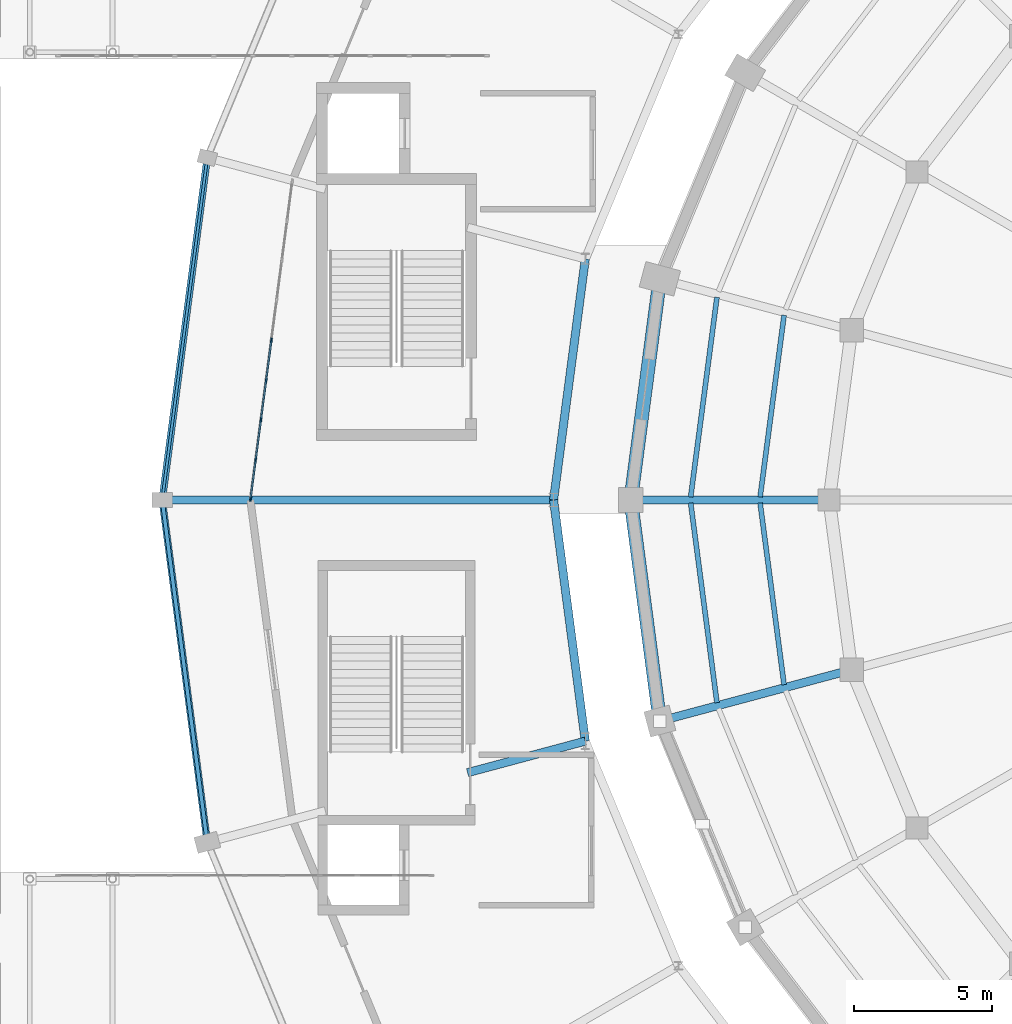
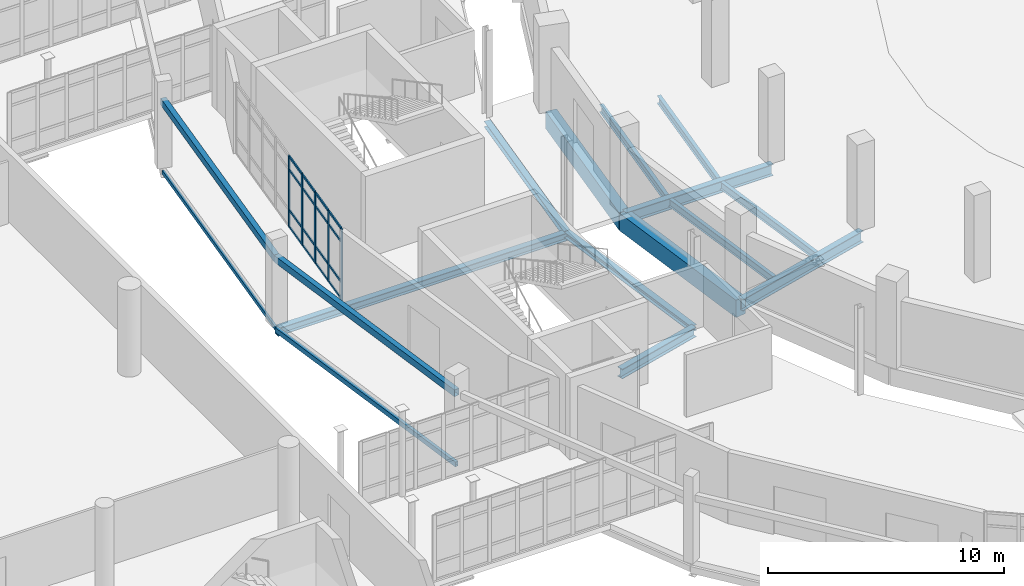
# One storey, part 47 of 122: 21 members, 16 beams, 1 element without a shape of its own.
"""IFC4 building model written with IfcOpenShell, lengths in metres."""

import ifcopenshell
import ifcopenshell.guid

model = None  # the IFC model being written
_history = None  # IfcOwnerHistory: only IFC2X3 demands one
_inside = {}  # id of a spatial element -> (the spatial element, [elements in it])
_under = {}  # id of a project, library or spatial element -> (it, [spatial elements below it])
_declared = {}  # id of a project -> (the project, [libraries it declares])
_typed = {}  # id of a type object -> (the type object, [elements of that type])
_made_of = {}  # id of a material, layer set ... -> (it, [elements and type objects made of it])


def new_model(schema):
    """Start an empty IFC model of exactly this schema.

    Asked for "IFC4X3", IfcOpenShell would pick the latest addendum, in which some entities
    have other attributes; the version numbers below select the first issue.
    IFC2X3 requires an IfcOwnerHistory on every rooted entity: one is made here for all.
    """
    global model, _history
    if schema == "IFC4X3":
        model = ifcopenshell.file(schema_version=(4, 3, 0, 0))
    else:
        model = ifcopenshell.file(schema=schema)
    _inside.clear()
    _under.clear()
    _declared.clear()
    _typed.clear()
    _made_of.clear()
    _history = None
    if model.schema == "IFC2X3":
        org = make("IfcOrganization", Name="unknown")
        user = make(
            "IfcPersonAndOrganization",
            ThePerson=make("IfcPerson", FamilyName="unknown"),
            TheOrganization=org,
        )
        app = make(
            "IfcApplication",
            ApplicationDeveloper=org,
            Version="unknown",
            ApplicationFullName="unknown",
            ApplicationIdentifier="unknown",
        )
        _history = make(
            "IfcOwnerHistory",
            OwningUser=user,
            OwningApplication=app,
            ChangeAction="ADDED",
            CreationDate=0,
        )
    return model


def make(cls, **values):
    """One entity of the class cls with the attributes given. An attribute that is None is left unset."""
    return model.create_entity(
        cls, **{name: value for name, value in values.items() if value is not None}
    )


def rooted(cls, **values):
    """An entity with a GlobalId (a new one), such as an element, a storey or a relation."""
    return make(cls, GlobalId=ifcopenshell.guid.new(), OwnerHistory=_history, **values)


def si_unit(unit_type, name, prefix=None):
    """IfcSIUnit, for example si_unit("LENGTHUNIT", "METRE", prefix="MILLI")."""
    return make("IfcSIUnit", UnitType=unit_type, Prefix=prefix, Name=name)


def assignment(units):
    """IfcUnitAssignment: the units of a project."""
    return None if units is None else make("IfcUnitAssignment", Units=units)


def point(xyz):
    """IfcCartesianPoint."""
    return None if xyz is None else make("IfcCartesianPoint", Coordinates=xyz)


def direction(xyz):
    """IfcDirection."""
    return None if xyz is None else make("IfcDirection", DirectionRatios=xyz)


def frame(location, z_axis=None, x_axis=None):
    """IfcAxis2Placement3D, a coordinate frame: its origin and axes. An axis left out is left unset."""
    return make(
        "IfcAxis2Placement3D",
        Location=point(location),
        Axis=direction(z_axis),
        RefDirection=direction(x_axis),
    )


def frame_2d(location, x_axis=None):
    """IfcAxis2Placement2D, a coordinate frame in the plane: its origin and x axis."""
    return make(
        "IfcAxis2Placement2D", Location=point(location), RefDirection=direction(x_axis)
    )


def origin():
    """The frame at (0, 0, 0) with its axes left unset."""
    return frame((0.0, 0.0, 0.0))


def origin_2d():
    """The frame at (0, 0) in the plane with its x axis left unset."""
    return frame_2d((0.0, 0.0))


def place(relative_to, where):
    """IfcLocalPlacement: puts the frame where relative to a parent placement (None: the world)."""
    return make(
        "IfcLocalPlacement", PlacementRelTo=relative_to, RelativePlacement=where
    )


def context(
    kind, dimensions, precision=None, world=None, true_north=None, identifier=None
):
    """IfcGeometricRepresentationContext, for example the 3D "Model" context."""
    return make(
        "IfcGeometricRepresentationContext",
        ContextIdentifier=identifier,
        ContextType=kind,
        CoordinateSpaceDimension=dimensions,
        Precision=precision,
        WorldCoordinateSystem=world,
        TrueNorth=true_north,
    )


def subcontext(parent, identifier, kind, view, scale=None):
    """IfcGeometricRepresentationSubContext, for example "Body" below "Model"."""
    return make(
        "IfcGeometricRepresentationSubContext",
        ContextIdentifier=identifier,
        ContextType=kind,
        ParentContext=parent,
        TargetScale=scale,
        TargetView=view,
    )


def project(units=None, contexts=None):
    """IfcProject with its units and contexts."""
    return rooted(
        "IfcProject",
        Name="project",
        RepresentationContexts=contexts,
        UnitsInContext=assignment(units),
    )


def spatial(cls, under=None, at=None, **own):
    """A site, building, storey or space (cls), placed at a placement, below another one or the project."""
    s = rooted(cls, ObjectPlacement=at, **own)
    if under is not None:
        _under.setdefault(under.id(), (under, []))[1].append(s)
    return s


def profile(cls, at=None, kind="AREA", **sizes):
    """A parametric profile (cls). Its sizes go by their IFC names, for example OverallWidth=200.0."""
    return make(cls, ProfileType=kind, Position=at, **sizes)


def rectangle(**sizes):
    """IfcRectangleProfileDef."""
    return profile("IfcRectangleProfileDef", **sizes)


def hollow_rectangle(**sizes):
    """IfcRectangleHollowProfileDef."""
    return profile("IfcRectangleHollowProfileDef", **sizes)


def i_section(**sizes):
    """IfcIShapeProfileDef."""
    return profile("IfcIShapeProfileDef", **sizes)


def extrude(swept, where, along, depth):
    """IfcExtrudedAreaSolid: the profile swept, set in the frame where, extruded along a direction by depth."""
    return make(
        "IfcExtrudedAreaSolid",
        SweptArea=swept,
        Position=where,
        ExtrudedDirection=direction(along),
        Depth=depth,
    )


def shape(context_of_items, identifier, shape_type, items):
    """IfcShapeRepresentation: the items that make up one representation, for example the "Body"."""
    return make(
        "IfcShapeRepresentation",
        ContextOfItems=context_of_items,
        RepresentationIdentifier=identifier,
        RepresentationType=shape_type,
        Items=items,
    )


def material(Name=None, Category=None):
    """IfcMaterial."""
    return make("IfcMaterial", Name=Name, Category=Category)


def layer(
    of_material, thickness, ventilated=None, Name=None, Category=None, Priority=None
):
    """IfcMaterialLayer: one layer of a wall or slab, of a material (None: an air gap)."""
    return make(
        "IfcMaterialLayer",
        Material=of_material,
        LayerThickness=thickness,
        IsVentilated=ventilated,
        Name=Name,
        Category=Category,
        Priority=Priority,
    )


def layer_set(layers, Name=None):
    """IfcMaterialLayerSet."""
    return make("IfcMaterialLayerSet", MaterialLayers=layers, LayerSetName=Name)


def material_profile(
    of_material, cross_section, Name=None, Category=None, Priority=None
):
    """IfcMaterialProfile: a cross section and its material."""
    return make(
        "IfcMaterialProfile",
        Name=Name,
        Material=of_material,
        Profile=cross_section,
        Priority=Priority,
        Category=Category,
    )


def profile_set(profiles, Name=None, composite=None):
    """IfcMaterialProfileSet."""
    return make(
        "IfcMaterialProfileSet",
        Name=Name,
        MaterialProfiles=profiles,
        CompositeProfile=composite,
    )


def made_of(thing, what):
    """Note that an element or type object is made of a material, layer set ...; save() writes the relation."""
    if what is not None:
        _made_of.setdefault(what.id(), (what, []))[1].append(thing)
    return thing


def type_object(cls, material=None, **own):
    """A type object (cls), such as IfcWallType, which elements share."""
    return made_of(rooted(cls, **own), material)


def element(
    cls,
    number,
    at=None,
    inside=None,
    cuts=None,
    type_object=None,
    material=None,
    context=None,
    identifier="Body",
    shape_type=None,
    held_by="IfcProductDefinitionShape",
    body=None,
    shapes=None,
    **own,
):
    """One element of the class cls, such as IfcWall. Its Tag is "e" and its number.

    at: its placement. inside: the storey or other place that contains it. cuts: it is an
    opening in that element (IfcRelVoidsElement). A single representation is given by context,
    identifier, shape_type and body (its items); several are given by shapes. held_by: the class
    of the entity that holds the representations. save() writes the other relations.
    """
    e = rooted(cls, Tag="e%d" % number, ObjectPlacement=at, **own)
    if body is not None:
        shapes = [shape(context, identifier, shape_type, body)]
    if shapes is not None:
        e.Representation = make(held_by, Representations=shapes)
    if inside is not None:
        _inside.setdefault(inside.id(), (inside, []))[1].append(e)
    if cuts is not None:
        rooted(
            "IfcRelVoidsElement", RelatingBuildingElement=cuts, RelatedOpeningElement=e
        )
    if type_object is not None:
        _typed.setdefault(type_object.id(), (type_object, []))[1].append(e)
    return made_of(e, material)


def aggregate(whole, parts):
    """IfcRelAggregates: a whole, such as a stair, and the parts it consists of."""
    return rooted("IfcRelAggregates", RelatingObject=whole, RelatedObjects=parts)


def save(model, path):
    """Write the relations noted so far, then the file.

    IfcRelAggregates (storeys below a building ...), IfcRelContainedInSpatialStructure (elements
    in a storey), IfcRelDefinesByType, IfcRelAssociatesMaterial and IfcRelDeclares: one each for
    every whole, place, type object, material and project.
    """
    for whole, parts in _under.values():
        aggregate(whole, parts)
    for where, things in _inside.values():
        rooted(
            "IfcRelContainedInSpatialStructure",
            RelatedElements=things,
            RelatingStructure=where,
        )
    for kind, things in _typed.values():
        rooted("IfcRelDefinesByType", RelatedObjects=things, RelatingType=kind)
    for what, things in _made_of.values():
        rooted("IfcRelAssociatesMaterial", RelatedObjects=things, RelatingMaterial=what)
    for by, libraries in _declared.values():
        rooted("IfcRelDeclares", RelatingContext=by, RelatedDefinitions=libraries)
    model.write(path)


model = new_model("IFC4")

# Units and contexts
model_context = context("Model", 3, precision=1e-05, world=origin(), true_north=direction((0.0, 1.0)))
body_context = subcontext(model_context, "Body", "Model", "MODEL_VIEW")
ifc_project = project(units=[si_unit("LENGTHUNIT", "METRE"), si_unit("AREAUNIT", "SQUARE_METRE"), si_unit("VOLUMEUNIT", "CUBIC_METRE"), si_unit("PLANEANGLEUNIT", "RADIAN"), si_unit("MASSUNIT", "GRAM", prefix="KILO")], contexts=[model_context])

# Site, building, storey
site_placement = place(None, origin())
site = spatial("IfcSite", under=ifc_project, at=site_placement, CompositionType="ELEMENT")
building_placement = place(site_placement, origin())
building = spatial("IfcBuilding", under=site, at=building_placement, Name="Sohan Crest Arena", CompositionType="ELEMENT")
storey_placement = place(building_placement, origin())
storey = spatial("IfcBuildingStorey", under=building, at=storey_placement, Name="L00", CompositionType="ELEMENT", Elevation=0.0)

# Curtain wall, members
ifc_material_1 = material(Name="Thermally broken anodised aluminium", Category="aluminium")
ifc_layer = layer(ifc_material_1, 0.179931640625, Name="Thermally broken anodised aluminium")
ifc_layer_set = layer_set([ifc_layer], Name="Thermally broken anodised aluminium")
curtain_wall_type = type_object("IfcCurtainWallType", Name="ARC-CW01", PredefinedType="NOTDEFINED", material=ifc_layer_set)
curtain_wall_placement = place(storey_placement, origin())
curtain_wall = element("IfcCurtainWall", 1, at=curtain_wall_placement, inside=storey, type_object=curtain_wall_type, Name="Unitised curtain wall CW-004", PredefinedType="NOTDEFINED")
ifc_material_profile_1 = material_profile(ifc_material_1, rectangle(XDim=0.06005859375, YDim=0.159912109375, at=origin_2d()), Name="ALU-MULL 60x160")
ifc_profile_set_1 = profile_set([ifc_material_profile_1], Name="Thermally broken anodised aluminium")
member_type_1 = type_object("IfcMemberType", Name="ARC-CW-ML01", PredefinedType="MULLION", material=ifc_profile_set_1)
member_1_placement = place(storey_placement, frame((53.96337890625, 83.797607421875, 0.0), z_axis=(0.0, 0.0, 1.0), x_axis=(0.991439446395, -0.13056731648, 0.0)))
member_1 = element("IfcMember", 2, at=member_1_placement, type_object=member_type_1, Name="CW-004 mullion 5", PredefinedType="MULLION", context=body_context, shape_type="SweptSolid", body=[
    extrude(rectangle(XDim=0.06005859375, YDim=0.159912109375, at=origin_2d()), origin(), (0.0, 0.0, 1.0), 3.679931640625),
])
member_2_placement = place(storey_placement, frame((53.772705078125, 82.34814453125, 0.0), z_axis=(0.0, 0.0, 1.0), x_axis=(0.991439446395, -0.13056731648, 0.0)))
member_2 = element("IfcMember", 3, at=member_2_placement, type_object=member_type_1, Name="CW-004 mullion 6", PredefinedType="MULLION", context=body_context, shape_type="SweptSolid", body=[
    extrude(rectangle(XDim=0.06005859375, YDim=0.159912109375, at=origin_2d()), origin(), (0.0, 0.0, 1.0), 3.679931640625),
])
member_3_placement = place(storey_placement, frame((53.581787109375, 80.898681640625, 0.0), z_axis=(0.0, 0.0, 1.0), x_axis=(0.991439446395, -0.13056731648, 0.0)))
member_3 = element("IfcMember", 4, at=member_3_placement, type_object=member_type_1, Name="CW-004 mullion 7", PredefinedType="MULLION", context=body_context, shape_type="SweptSolid", body=[
    extrude(rectangle(XDim=0.06005859375, YDim=0.159912109375, at=origin_2d()), origin(), (0.0, 0.0, 1.0), 3.679931640625),
])
member_4_placement = place(storey_placement, frame((53.390869140625, 79.449462890625, 0.0), z_axis=(0.0, 0.0, 1.0), x_axis=(0.991439446395, -0.13056731648, 0.0)))
member_4 = element("IfcMember", 5, at=member_4_placement, type_object=member_type_1, Name="CW-004 mullion 8", PredefinedType="MULLION", context=body_context, shape_type="SweptSolid", body=[
    extrude(rectangle(XDim=0.06005859375, YDim=0.159912109375, at=origin_2d()), origin(), (0.0, 0.0, 1.0), 3.679931640625),
])
member_5_placement = place(storey_placement, frame((53.203857421875, 78.02978515625, 0.0), z_axis=(0.0, 0.0, 1.0), x_axis=(0.991439446395, -0.13056731648, 0.0)))
member_5 = element("IfcMember", 6, at=member_5_placement, type_object=member_type_1, Name="CW-004 mullion 9", PredefinedType="MULLION", context=body_context, shape_type="SweptSolid", body=[
    extrude(rectangle(XDim=0.06005859375, YDim=0.159912109375, at=origin_2d()), origin(), (0.0, 0.0, 1.0), 3.679931640625),
])
ifc_material_profile_2 = material_profile(ifc_material_1, rectangle(XDim=0.06005859375, YDim=0.1201171875, at=origin_2d()), Name="ALU-TRAN 60x120")
ifc_profile_set_2 = profile_set([ifc_material_profile_2], Name="Thermally broken anodised aluminium")
member_type_2 = type_object("IfcMemberType", Name="ARC-CW-TR01", PredefinedType="USERDEFINED", material=ifc_profile_set_2)
member_6_placement = place(storey_placement, frame((53.95947265625, 83.767822265625, 0.030029296875), z_axis=(-0.130440997581, -0.991456073737, 0.0), x_axis=(0.991456073737, -0.130440997581, 0.0)))
member_6 = element("IfcMember", 7, at=member_6_placement, type_object=member_type_2, Name="CW-004 transom 5.1", ObjectType="TRANSOM", PredefinedType="USERDEFINED", context=body_context, shape_type="SweptSolid", body=[
    extrude(rectangle(XDim=0.06005859375, YDim=0.1201171875, at=origin_2d()), origin(), (0.0, 0.0, 1.0), 1.40185546875),
])
member_7_placement = place(storey_placement, frame((53.95947265625, 83.767822265625, 0.89990234375), z_axis=(-0.130440997581, -0.991456073737, 0.0), x_axis=(0.991456073737, -0.130440997581, 0.0)))
member_7 = element("IfcMember", 8, at=member_7_placement, type_object=member_type_2, Name="CW-004 transom 5.2", ObjectType="TRANSOM", PredefinedType="USERDEFINED", context=body_context, shape_type="SweptSolid", body=[
    extrude(rectangle(XDim=0.06005859375, YDim=0.1201171875, at=origin_2d()), origin(), (0.0, 0.0, 1.0), 1.40185546875),
])
member_8_placement = place(storey_placement, frame((53.95947265625, 83.767822265625, 2.97998046875), z_axis=(-0.130440997581, -0.991456073737, 0.0), x_axis=(0.991456073737, -0.130440997581, 0.0)))
member_8 = element("IfcMember", 9, at=member_8_placement, type_object=member_type_2, Name="CW-004 transom 5.3", ObjectType="TRANSOM", PredefinedType="USERDEFINED", context=body_context, shape_type="SweptSolid", body=[
    extrude(rectangle(XDim=0.06005859375, YDim=0.1201171875, at=origin_2d()), origin(), (0.0, 0.0, 1.0), 1.40185546875),
])
member_9_placement = place(storey_placement, frame((53.95947265625, 83.767822265625, 3.64990234375), z_axis=(-0.130440997581, -0.991456073737, 0.0), x_axis=(0.991456073737, -0.130440997581, 0.0)))
member_9 = element("IfcMember", 10, at=member_9_placement, type_object=member_type_2, Name="CW-004 transom 5.4", ObjectType="TRANSOM", PredefinedType="USERDEFINED", context=body_context, shape_type="SweptSolid", body=[
    extrude(rectangle(XDim=0.06005859375, YDim=0.1201171875, at=origin_2d()), origin(), (0.0, 0.0, 1.0), 1.40185546875),
])
member_10_placement = place(storey_placement, frame((53.768798828125, 82.318359375, 0.030029296875), z_axis=(-0.130612182083, -0.9914335368, 0.0), x_axis=(0.9914335368, -0.130612182083, 0.0)))
member_10 = element("IfcMember", 11, at=member_10_placement, type_object=member_type_2, Name="CW-004 transom 6.1", ObjectType="TRANSOM", PredefinedType="USERDEFINED", context=body_context, shape_type="SweptSolid", body=[
    extrude(rectangle(XDim=0.06005859375, YDim=0.1201171875, at=origin_2d()), origin(), (0.0, 0.0, 1.0), 1.40185546875),
])
member_11_placement = place(storey_placement, frame((53.768798828125, 82.318359375, 0.89990234375), z_axis=(-0.130612182083, -0.9914335368, 0.0), x_axis=(0.9914335368, -0.130612182083, 0.0)))
member_11 = element("IfcMember", 12, at=member_11_placement, type_object=member_type_2, Name="CW-004 transom 6.2", ObjectType="TRANSOM", PredefinedType="USERDEFINED", context=body_context, shape_type="SweptSolid", body=[
    extrude(rectangle(XDim=0.06005859375, YDim=0.1201171875, at=origin_2d()), origin(), (0.0, 0.0, 1.0), 1.40185546875),
])
member_12_placement = place(storey_placement, frame((53.768798828125, 82.318359375, 2.97998046875), z_axis=(-0.130612182083, -0.9914335368, 0.0), x_axis=(0.9914335368, -0.130612182083, 0.0)))
member_12 = element("IfcMember", 13, at=member_12_placement, type_object=member_type_2, Name="CW-004 transom 6.3", ObjectType="TRANSOM", PredefinedType="USERDEFINED", context=body_context, shape_type="SweptSolid", body=[
    extrude(rectangle(XDim=0.06005859375, YDim=0.1201171875, at=origin_2d()), origin(), (0.0, 0.0, 1.0), 1.40185546875),
])
member_13_placement = place(storey_placement, frame((53.768798828125, 82.318359375, 3.64990234375), z_axis=(-0.130612182083, -0.9914335368, 0.0), x_axis=(0.9914335368, -0.130612182083, 0.0)))
member_13 = element("IfcMember", 14, at=member_13_placement, type_object=member_type_2, Name="CW-004 transom 6.4", ObjectType="TRANSOM", PredefinedType="USERDEFINED", context=body_context, shape_type="SweptSolid", body=[
    extrude(rectangle(XDim=0.06005859375, YDim=0.1201171875, at=origin_2d()), origin(), (0.0, 0.0, 1.0), 1.40185546875),
])
member_14_placement = place(storey_placement, frame((53.577880859375, 80.868896484375, 0.030029296875), z_axis=(-0.130612182083, -0.9914335368, 0.0), x_axis=(0.9914335368, -0.130612182083, 0.0)))
member_14 = element("IfcMember", 15, at=member_14_placement, type_object=member_type_2, Name="CW-004 transom 7.1", ObjectType="TRANSOM", PredefinedType="USERDEFINED", context=body_context, shape_type="SweptSolid", body=[
    extrude(rectangle(XDim=0.06005859375, YDim=0.1201171875, at=origin_2d()), origin(), (0.0, 0.0, 1.0), 1.40185546875),
])
member_15_placement = place(storey_placement, frame((53.577880859375, 80.868896484375, 0.89990234375), z_axis=(-0.130612182083, -0.9914335368, 0.0), x_axis=(0.9914335368, -0.130612182083, 0.0)))
member_15 = element("IfcMember", 16, at=member_15_placement, type_object=member_type_2, Name="CW-004 transom 7.2", ObjectType="TRANSOM", PredefinedType="USERDEFINED", context=body_context, shape_type="SweptSolid", body=[
    extrude(rectangle(XDim=0.06005859375, YDim=0.1201171875, at=origin_2d()), origin(), (0.0, 0.0, 1.0), 1.40185546875),
])
member_16_placement = place(storey_placement, frame((53.577880859375, 80.868896484375, 2.97998046875), z_axis=(-0.130612182083, -0.9914335368, 0.0), x_axis=(0.9914335368, -0.130612182083, 0.0)))
member_16 = element("IfcMember", 17, at=member_16_placement, type_object=member_type_2, Name="CW-004 transom 7.3", ObjectType="TRANSOM", PredefinedType="USERDEFINED", context=body_context, shape_type="SweptSolid", body=[
    extrude(rectangle(XDim=0.06005859375, YDim=0.1201171875, at=origin_2d()), origin(), (0.0, 0.0, 1.0), 1.40185546875),
])
member_17_placement = place(storey_placement, frame((53.577880859375, 80.868896484375, 3.64990234375), z_axis=(-0.130612182083, -0.9914335368, 0.0), x_axis=(0.9914335368, -0.130612182083, 0.0)))
member_17 = element("IfcMember", 18, at=member_17_placement, type_object=member_type_2, Name="CW-004 transom 7.4", ObjectType="TRANSOM", PredefinedType="USERDEFINED", context=body_context, shape_type="SweptSolid", body=[
    extrude(rectangle(XDim=0.06005859375, YDim=0.1201171875, at=origin_2d()), origin(), (0.0, 0.0, 1.0), 1.40185546875),
])
member_18_placement = place(storey_placement, frame((53.386962890625, 79.419677734375, 0.030029296875), z_axis=(-0.130624841468, -0.991431868961, 0.0), x_axis=(0.991431868961, -0.130624841468, 0.0)))
member_18 = element("IfcMember", 19, at=member_18_placement, type_object=member_type_2, Name="CW-004 transom 8.1", ObjectType="TRANSOM", PredefinedType="USERDEFINED", context=body_context, shape_type="SweptSolid", body=[
    extrude(rectangle(XDim=0.06005859375, YDim=0.1201171875, at=origin_2d()), origin(), (0.0, 0.0, 1.0), 1.371826171875),
])
member_19_placement = place(storey_placement, frame((53.386962890625, 79.419677734375, 0.89990234375), z_axis=(-0.130624841468, -0.991431868961, 0.0), x_axis=(0.991431868961, -0.130624841468, 0.0)))
member_19 = element("IfcMember", 20, at=member_19_placement, type_object=member_type_2, Name="CW-004 transom 8.2", ObjectType="TRANSOM", PredefinedType="USERDEFINED", context=body_context, shape_type="SweptSolid", body=[
    extrude(rectangle(XDim=0.06005859375, YDim=0.1201171875, at=origin_2d()), origin(), (0.0, 0.0, 1.0), 1.371826171875),
])
member_20_placement = place(storey_placement, frame((53.386962890625, 79.419677734375, 2.97998046875), z_axis=(-0.130624841468, -0.991431868961, 0.0), x_axis=(0.991431868961, -0.130624841468, 0.0)))
member_20 = element("IfcMember", 21, at=member_20_placement, type_object=member_type_2, Name="CW-004 transom 8.3", ObjectType="TRANSOM", PredefinedType="USERDEFINED", context=body_context, shape_type="SweptSolid", body=[
    extrude(rectangle(XDim=0.06005859375, YDim=0.1201171875, at=origin_2d()), origin(), (0.0, 0.0, 1.0), 1.371826171875),
])
member_21_placement = place(storey_placement, frame((53.386962890625, 79.419677734375, 3.64990234375), z_axis=(-0.130624841468, -0.991431868961, 0.0), x_axis=(0.991431868961, -0.130624841468, 0.0)))
member_21 = element("IfcMember", 22, at=member_21_placement, type_object=member_type_2, Name="CW-004 transom 8.4", ObjectType="TRANSOM", PredefinedType="USERDEFINED", context=body_context, shape_type="SweptSolid", body=[
    extrude(rectangle(XDim=0.06005859375, YDim=0.1201171875, at=origin_2d()), origin(), (0.0, 0.0, 1.0), 1.371826171875),
])
aggregate(curtain_wall, [member_1, member_2, member_3, member_4, member_5, member_6, member_7, member_8, member_9, member_10, member_11, member_12, member_13, member_14, member_15, member_16, member_17, member_18, member_19, member_20, member_21])

# Beams
ifc_material_2 = material(Name="Steel S355", Category="steel")
ifc_material_profile_3 = material_profile(ifc_material_2, i_section(OverallWidth=0.179931640625, OverallDepth=0.39990234375, WebThickness=0.008544921875, FlangeThickness=0.013427734375, at=origin_2d()), Name="IPE 400")
ifc_profile_set_3 = profile_set([ifc_material_profile_3], Name="Steel S355")
beam_type_1 = type_object("IfcBeamType", Name="STR-BM-B03", PredefinedType="JOIST", material=ifc_profile_set_3)
beam_1_placement = place(storey_placement, frame((72.56298828125, 84.702880859375, -0.449951171875), z_axis=(-0.130641570465, -0.99142966471, 0.0), x_axis=(0.99142966471, -0.130641570465, 0.0)))
element("IfcBeam", 23, at=beam_1_placement, inside=storey, type_object=beam_type_1, Name="Structural beam J-L00-0172", PredefinedType="JOIST", context=body_context, shape_type="SweptSolid", body=[
    extrude(i_section(OverallWidth=0.179931640625, OverallDepth=0.39990234375, WebThickness=0.008544921875, FlangeThickness=0.013427734375, at=origin_2d()), origin(), (0.0, 0.0, 1.0), 6.65087890625),
])
beam_2_placement = place(storey_placement, frame((70.1279296875, 85.35498046875, -0.449951171875), z_axis=(-0.13051154339, -0.991446789819, 0.0), x_axis=(0.991446789819, -0.13051154339, 0.0)))
element("IfcBeam", 24, at=beam_2_placement, inside=storey, type_object=beam_type_1, Name="Structural beam J-L00-0173", PredefinedType="JOIST", context=body_context, shape_type="SweptSolid", body=[
    extrude(i_section(OverallWidth=0.179931640625, OverallDepth=0.39990234375, WebThickness=0.008544921875, FlangeThickness=0.013427734375, at=origin_2d()), origin(), (0.0, 0.0, 1.0), 7.30859375),
])
beam_3_placement = place(storey_placement, frame((71.694091796875, 77.89111328125, -0.449951171875), z_axis=(0.130641570465, -0.99142966471, 0.0), x_axis=(0.99142966471, 0.130641570465, 0.0)))
element("IfcBeam", 25, at=beam_3_placement, inside=storey, type_object=beam_type_1, Name="Structural beam J-L00-0194", PredefinedType="JOIST", context=body_context, shape_type="SweptSolid", body=[
    extrude(i_section(OverallWidth=0.179931640625, OverallDepth=0.39990234375, WebThickness=0.008544921875, FlangeThickness=0.013427734375, at=origin_2d()), origin(), (0.0, 0.0, 1.0), 6.65087890625),
])
beam_4_placement = place(storey_placement, frame((69.174072265625, 77.89111328125, -0.449951171875), z_axis=(0.13051154339, -0.991446789819, 0.0), x_axis=(0.991446789819, 0.13051154339, 0.0)))
element("IfcBeam", 26, at=beam_4_placement, inside=storey, type_object=beam_type_1, Name="Structural beam J-L00-0195", PredefinedType="JOIST", context=body_context, shape_type="SweptSolid", body=[
    extrude(i_section(OverallWidth=0.179931640625, OverallDepth=0.39990234375, WebThickness=0.008544921875, FlangeThickness=0.013427734375, at=origin_2d()), origin(), (0.0, 0.0, 1.0), 7.30859375),
])
ifc_material_profile_4 = material_profile(ifc_material_2, i_section(OverallWidth=0.300048828125, OverallDepth=0.590087890625, WebThickness=0.012939453125, FlangeThickness=0.02490234375, at=origin_2d()), Name="HEA 600")
ifc_profile_set_4 = profile_set([ifc_material_profile_4], Name="Steel S355")
beam_type_2 = type_object("IfcBeamType", Name="STR-BM-B11", PredefinedType="BEAM", material=ifc_profile_set_4)
beam_5_placement = place(storey_placement, frame((74.199951171875, 78.0, -0.544921875), z_axis=(-1.0, 0.0, 0.0), x_axis=(0.0, -1.0, 0.0)))
element("IfcBeam", 27, at=beam_5_placement, inside=storey, type_object=beam_type_2, Name="Structural beam G-L00-0193", PredefinedType="BEAM", context=body_context, shape_type="SweptSolid", body=[
    extrude(i_section(OverallWidth=0.300048828125, OverallDepth=0.590087890625, WebThickness=0.012939453125, FlangeThickness=0.02490234375, at=origin_2d()), origin(), (0.0, 0.0, 1.0), 7.199951171875),
])
beam_6_placement = place(storey_placement, frame((75.010986328125, 71.840087890625, -0.544921875), z_axis=(-0.965945630245, -0.258745124417, 0.0), x_axis=(0.258745124417, -0.965945630245, 0.0)))
element("IfcBeam", 28, at=beam_6_placement, inside=storey, type_object=beam_type_2, Name="Structural beam G-L00-0215", PredefinedType="BEAM", context=body_context, shape_type="SweptSolid", body=[
    extrude(i_section(OverallWidth=0.300048828125, OverallDepth=0.590087890625, WebThickness=0.012939453125, FlangeThickness=0.02490234375, at=origin_2d()), origin(), (0.0, 0.0, 1.0), 7.2001953125),
])
ifc_material_profile_5 = material_profile(ifc_material_2, i_section(OverallWidth=0.300048828125, OverallDepth=0.300048828125, WebThickness=0.010986328125, FlangeThickness=0.01904296875, at=origin_2d()), Name="HEB 300")
ifc_profile_set_5 = profile_set([ifc_material_profile_5], Name="Steel S355")
beam_type_3 = type_object("IfcBeamType", Name="STR-BM-B12", PredefinedType="BEAM", material=ifc_profile_set_5)
for number, where, z_axis, x_axis, name in (
    (29, (65.35205078125, 86.748046875, -0.425048828125), (-0.130570461953, -0.991439032147, 0.0), (0.991439032147, -0.130570461953, 0.0), "Structural beam G-L00-0928"),
    (30, (64.199951171875, 78.0, -0.425048828125), (0.130570461953, -0.991439032147, 0.0), (0.991439032147, 0.130570461953, 0.0), "Structural beam G-L00-0932"),
):
    element("IfcBeam", number, at=place(storey_placement, frame(where, z_axis=z_axis, x_axis=x_axis)), inside=storey, type_object=beam_type_3, Name=name, PredefinedType="BEAM", context=body_context, shape_type="SweptSolid", body=[
        extrude(i_section(OverallWidth=0.300048828125, OverallDepth=0.300048828125, WebThickness=0.010986328125, FlangeThickness=0.01904296875, at=origin_2d()), origin(), (0.0, 0.0, 1.0), 8.823486328125),
    ])
ifc_material_profile_6 = material_profile(ifc_material_2, i_section(OverallWidth=0.300048828125, OverallDepth=0.39990234375, WebThickness=0.013427734375, FlangeThickness=0.02392578125, at=origin_2d()), Name="HEB 400")
ifc_profile_set_6 = profile_set([ifc_material_profile_6], Name="Steel S355")
beam_type_4 = type_object("IfcBeamType", Name="STR-BM-B13", PredefinedType="BEAM", material=ifc_profile_set_6)
beam_7_placement = place(storey_placement, frame((64.199951171875, 78.0, -0.47509765625), z_axis=(-1.0, 0.0, 0.0), x_axis=(0.0, -1.0, 0.0)))
element("IfcBeam", 31, at=beam_7_placement, inside=storey, type_object=beam_type_4, Name="Structural beam G-L00-0931", PredefinedType="BEAM", context=body_context, shape_type="SweptSolid", body=[
    extrude(i_section(OverallWidth=0.300048828125, OverallDepth=0.39990234375, WebThickness=0.013427734375, FlangeThickness=0.02392578125, at=origin_2d()), origin(), (0.0, 0.0, 1.0), 14.199951171875),
])
ifc_material_profile_7 = material_profile(ifc_material_2, i_section(OverallWidth=0.300048828125, OverallDepth=0.5, WebThickness=0.014404296875, FlangeThickness=0.028076171875, at=origin_2d()), Name="HEB 500")
ifc_profile_set_7 = profile_set([ifc_material_profile_7], Name="Steel S355")
beam_type_5 = type_object("IfcBeamType", Name="STR-BM-B14", PredefinedType="BEAM", material=ifc_profile_set_7)
beam_8_placement = place(storey_placement, frame((65.35205078125, 69.251953125, -0.52490234375), z_axis=(-0.965906157738, -0.258892437981, 0.0), x_axis=(0.258892437981, -0.965906157738, 0.0)))
element("IfcBeam", 32, at=beam_8_placement, inside=storey, type_object=beam_type_5, Name="Structural beam G-L00-0935", PredefinedType="BEAM", context=body_context, shape_type="SweptSolid", body=[
    extrude(i_section(OverallWidth=0.300048828125, OverallDepth=0.5, WebThickness=0.014404296875, FlangeThickness=0.028076171875, at=origin_2d()), origin(), (0.0, 0.0, 1.0), 4.4228515625),
])
ifc_material_profile_8 = material_profile(ifc_material_2, hollow_rectangle(XDim=0.10009765625, YDim=0.199951171875, WallThickness=0.008056640625, at=origin_2d()), Name="RHS 200x100x8")
ifc_profile_set_8 = profile_set([ifc_material_profile_8], Name="Steel S355")
beam_type_6 = type_object("IfcBeamType", Name="STR-BM-SP01", PredefinedType="SPANDREL", material=ifc_profile_set_8)
beam_9_placement = place(storey_placement, frame((51.635986328125, 90.423095703125, -0.375), z_axis=(-0.130561865783, -0.991440164207, 0.0), x_axis=(0.991440164207, -0.130561865783, 0.0)))
element("IfcBeam", 33, at=beam_9_placement, inside=storey, type_object=beam_type_6, Name="Structural beam SP-L00-0929", PredefinedType="SPANDREL", context=body_context, shape_type="SweptSolid", body=[
    extrude(hollow_rectangle(XDim=0.10009765625, YDim=0.199951171875, WallThickness=0.008056640625, at=origin_2d()), origin(), (0.0, 0.0, 1.0), 12.5302734375),
])
ifc_material_profile_9 = material_profile(ifc_material_2, hollow_rectangle(XDim=0.14990234375, YDim=0.25, WallThickness=0.010009765625, at=origin_2d()), Name="RHS 250x150x10")
ifc_profile_set_9 = profile_set([ifc_material_profile_9], Name="Steel S355")
beam_type_7 = type_object("IfcBeamType", Name="STR-BM-SP02", PredefinedType="SPANDREL", material=ifc_profile_set_9)
beam_10_placement = place(storey_placement, frame((50.0, 78.0, -0.39990234375), z_axis=(0.130561865783, -0.991440164207, 0.0), x_axis=(0.991440164207, 0.130561865783, 0.0)))
element("IfcBeam", 34, at=beam_10_placement, inside=storey, type_object=beam_type_7, Name="Structural beam SP-L00-0933", PredefinedType="SPANDREL", context=body_context, shape_type="SweptSolid", body=[
    extrude(hollow_rectangle(XDim=0.14990234375, YDim=0.25, WallThickness=0.010009765625, at=origin_2d()), origin(), (0.0, 0.0, 1.0), 12.5302734375),
])
ifc_material_profile_10 = material_profile(ifc_material_2, hollow_rectangle(XDim=0.25, YDim=0.35009765625, WallThickness=0.012451171875, at=origin_2d()), Name="RHS 350x250x12.5")
ifc_profile_set_10 = profile_set([ifc_material_profile_10], Name="Steel S355")
beam_type_8 = type_object("IfcBeamType", Name="STR-BM-SP04", PredefinedType="SPANDREL", material=ifc_profile_set_10)
for number, where, z_axis, x_axis, name in (
    (35, (51.635986328125, 90.423095703125, 3.300048828125), (-0.130561865783, -0.991440164207, 0.0), (0.991440164207, -0.130561865783, 0.0), "Structural beam ARC-L00-0930"),
    (36, (50.0, 78.0, 3.300048828125), (0.130561865783, -0.991440164207, 0.0), (0.991440164207, 0.130561865783, 0.0), "Structural beam ARC-L00-0934"),
):
    element("IfcBeam", number, at=place(storey_placement, frame(where, z_axis=z_axis, x_axis=x_axis)), inside=storey, type_object=beam_type_8, Name=name, PredefinedType="SPANDREL", context=body_context, shape_type="SweptSolid", body=[
        extrude(hollow_rectangle(XDim=0.25, YDim=0.35009765625, WallThickness=0.012451171875, at=origin_2d()), origin(), (0.0, 0.0, 1.0), 12.5302734375),
    ])
ifc_material_3 = material(Name="Concrete C40/50", Category="concrete")
ifc_material_profile_11 = material_profile(ifc_material_3, rectangle(XDim=0.5, YDim=0.89990234375, at=origin_2d()), Name="RC-BM 500x900")
ifc_profile_set_11 = profile_set([ifc_material_profile_11], Name="Concrete C40/50")
beam_type_9 = type_object("IfcBeamType", Name="STR-BM-TB03", PredefinedType="BEAM", material=ifc_profile_set_11)
for number, where, z_axis, x_axis, name in (
    (37, (68.055908203125, 86.02294921875, -0.699951171875), (-0.130485730048, -0.99145018748, 0.0), (0.99145018748, -0.130485730048, 0.0), "Structural beam TB-L00-0170"),
    (38, (67.0, 78.0, -0.699951171875), (0.130485730048, -0.99145018748, 0.0), (0.99145018748, 0.130485730048, 0.0), "Structural beam TB-L00-0192"),
):
    element("IfcBeam", number, at=place(storey_placement, frame(where, z_axis=z_axis, x_axis=x_axis)), inside=storey, type_object=beam_type_9, Name=name, PredefinedType="BEAM", context=body_context, shape_type="SweptSolid", body=[
        extrude(rectangle(XDim=0.5, YDim=0.89990234375, at=origin_2d()), origin(), (0.0, 0.0, 1.0), 8.092041015625),
    ])

save(model, "model.ifc")
